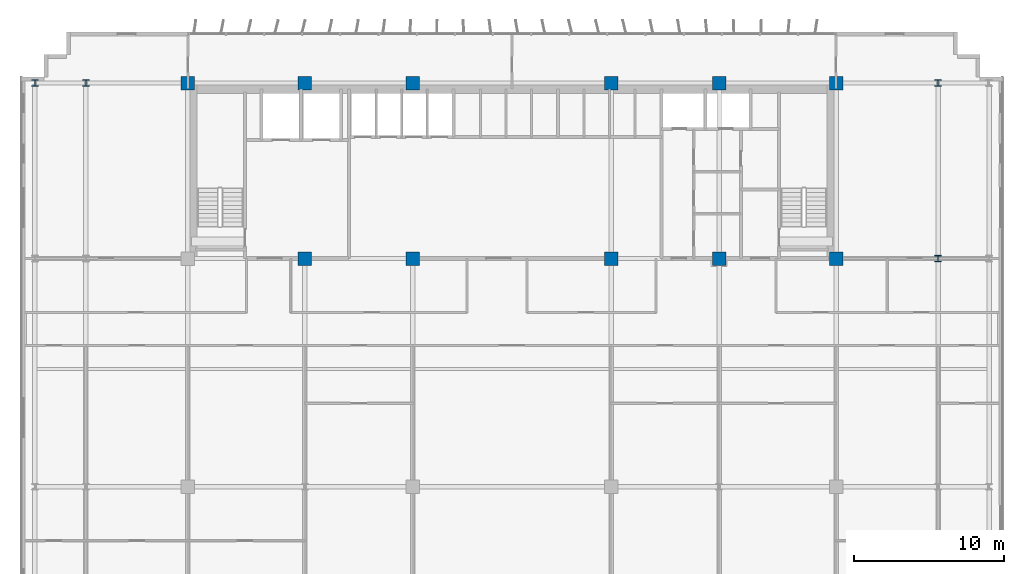
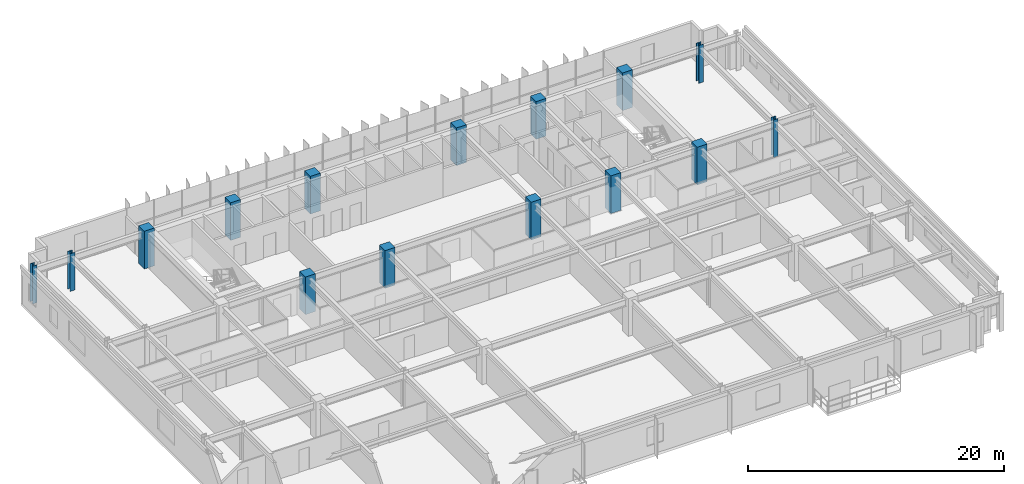
# One storey, part 2 of 21: 15 columns.
"""IFC4 building model written with IfcOpenShell, lengths in metres."""

from ifc_helpers import new_model, si_unit, direction, frame, origin, origin_2d, place, context, subcontext, project, spatial, rectangle, i_section, extrude, source, transform, mapped, material, material_profile, profile_set, type_object, element, save


model = new_model("IFC4")

# Units and contexts
model_context = context("Model", 3, precision=1e-05, world=origin(), true_north=direction((0.0, 1.0)))
body_context = subcontext(model_context, "Body", "Model", "MODEL_VIEW")
ifc_project = project(units=[si_unit("LENGTHUNIT", "METRE"), si_unit("AREAUNIT", "SQUARE_METRE"), si_unit("VOLUMEUNIT", "CUBIC_METRE"), si_unit("PLANEANGLEUNIT", "RADIAN"), si_unit("MASSUNIT", "GRAM", prefix="KILO")], contexts=[model_context])

# Site, building, storey
site_placement = place(None, origin())
site = spatial("IfcSite", under=ifc_project, at=site_placement, CompositionType="ELEMENT")
building_placement = place(site_placement, origin())
building = spatial("IfcBuilding", under=site, at=building_placement, Name="Trelvane Seafront Commons", CompositionType="ELEMENT")
storey_placement = place(building_placement, frame((0.0, 0.0, 34.300048828125)))
storey = spatial("IfcBuildingStorey", under=building, at=storey_placement, Name="L08", CompositionType="ELEMENT", Elevation=34.300048828125)

# Columns
ifc_material_1 = material(Name="Steel SM355 (S355)", Category="steel")
ifc_material_profile_1 = material_profile(ifc_material_1, i_section(OverallWidth=0.419921875, OverallDepth=0.419921875, WebThickness=0.02587890625, FlangeThickness=0.0400390625, at=origin_2d()), Name="HD-420x420x26x40")
ifc_profile_set_1 = profile_set([ifc_material_profile_1], Name="Steel SM355 (S355)")
column_type_1 = type_object("IfcColumnType", Name="STR-COL-HD420", PredefinedType="COLUMN", material=ifc_profile_set_1)
shared_shape_1 = source(origin(), body_context, "Body", "SweptSolid", [
    extrude(i_section(OverallWidth=0.419921875, OverallDepth=0.419921875, WebThickness=0.02587890625, FlangeThickness=0.0400390625, at=origin_2d()), origin(), (0.0, 0.0, 1.0), 3.599853515625),
])
for number, where, z_axis, x_axis, name in (
    (1, (5.39990234375, 45.10009765625, 0.0), (0.0, 0.0, 1.0), (1.0, 0.0, 0.0), "L08 Column TC-CN5.4"),
    (2, (8.800048828125, 45.10009765625, 0.0), (0.0, 0.0, 1.0), (1.0, 0.0, 0.0), "L08 Column TC-CN8.8"),
    (3, (65.60009765625, 33.39990234375, 0.0), (0.0, 0.0, 1.0), (1.0, 0.0, 0.0), "L08 Column TC-CS65.6"),
    (4, (65.60009765625, 45.10009765625, 0.0), (0.0, 0.0, 1.0), (1.0, 0.0, 0.0), "L08 Column TC-CN65.6"),
):
    element("IfcColumn", number, at=place(storey_placement, frame(where, z_axis=z_axis, x_axis=x_axis)), inside=storey, type_object=column_type_1, Name=name, PredefinedType="COLUMN", context=body_context, shape_type="MappedRepresentation", body=[
        mapped(shared_shape_1, transform((0.0, 0.0, 0.0), x_axis=(1.0, 0.0, 0.0), y_axis=(0.0, 1.0, 0.0), z_axis=(0.0, 0.0, 1.0), scale=1.0)),
    ])
ifc_material_2 = material(Name="Concrete C60/75", Category="concrete")
ifc_material_profile_2 = material_profile(ifc_material_2, rectangle(XDim=0.89990234375, YDim=0.89990234375, at=origin_2d()), Name="RC-900x900")
ifc_profile_set_2 = profile_set([ifc_material_profile_2], Name="Concrete C60/75")
column_type_2 = type_object("IfcColumnType", Name="STR-COL-RC900", PredefinedType="COLUMN", material=ifc_profile_set_2)
shared_shape_2 = source(origin(), body_context, "Body", "SweptSolid", [
    extrude(rectangle(XDim=0.89990234375, YDim=0.89990234375, at=origin_2d()), origin(), (0.0, 0.0, 1.0), 3.599853515625),
])
for number, where, z_axis, x_axis, name in (
    (5, (15.60009765625, 45.10009765625, 0.0), (0.0, 0.0, 1.0), (1.0, 0.0, 0.0), "L08 Column TC-CN15.6"),
    (6, (23.39990234375, 33.39990234375, 0.0), (0.0, 0.0, 1.0), (1.0, 0.0, 0.0), "L08 Column TC-CS23.4"),
    (7, (23.39990234375, 45.10009765625, 0.0), (0.0, 0.0, 1.0), (1.0, 0.0, 0.0), "L08 Column TC-CN23.4"),
    (8, (30.60009765625, 33.39990234375, 0.0), (0.0, 0.0, 1.0), (1.0, 0.0, 0.0), "L08 Column TC-CS30.6"),
    (9, (30.60009765625, 45.10009765625, 0.0), (0.0, 0.0, 1.0), (1.0, 0.0, 0.0), "L08 Column TC-CN30.6"),
    (10, (43.800048828125, 33.39990234375, 0.0), (0.0, 0.0, 1.0), (1.0, 0.0, 0.0), "L08 Column TC-CS43.8"),
    (11, (43.800048828125, 45.10009765625, 0.0), (0.0, 0.0, 1.0), (1.0, 0.0, 0.0), "L08 Column TC-CN43.8"),
    (12, (51.0, 33.39990234375, 0.0), (0.0, 0.0, 1.0), (1.0, 0.0, 0.0), "L08 Column TC-CS51.0"),
    (13, (51.0, 45.10009765625, 0.0), (0.0, 0.0, 1.0), (1.0, 0.0, 0.0), "L08 Column TC-CN51.0"),
    (14, (58.800048828125, 33.39990234375, 0.0), (0.0, 0.0, 1.0), (1.0, 0.0, 0.0), "L08 Column TC-CS58.8"),
    (15, (58.800048828125, 45.10009765625, 0.0), (0.0, 0.0, 1.0), (1.0, 0.0, 0.0), "L08 Column TC-CN58.8"),
):
    element("IfcColumn", number, at=place(storey_placement, frame(where, z_axis=z_axis, x_axis=x_axis)), inside=storey, type_object=column_type_2, Name=name, PredefinedType="COLUMN", context=body_context, shape_type="MappedRepresentation", body=[
        mapped(shared_shape_2, transform((0.0, 0.0, 0.0), x_axis=(1.0, 0.0, 0.0), y_axis=(0.0, 1.0, 0.0), z_axis=(0.0, 0.0, 1.0), scale=1.0)),
    ])

save(model, "model.ifc")
